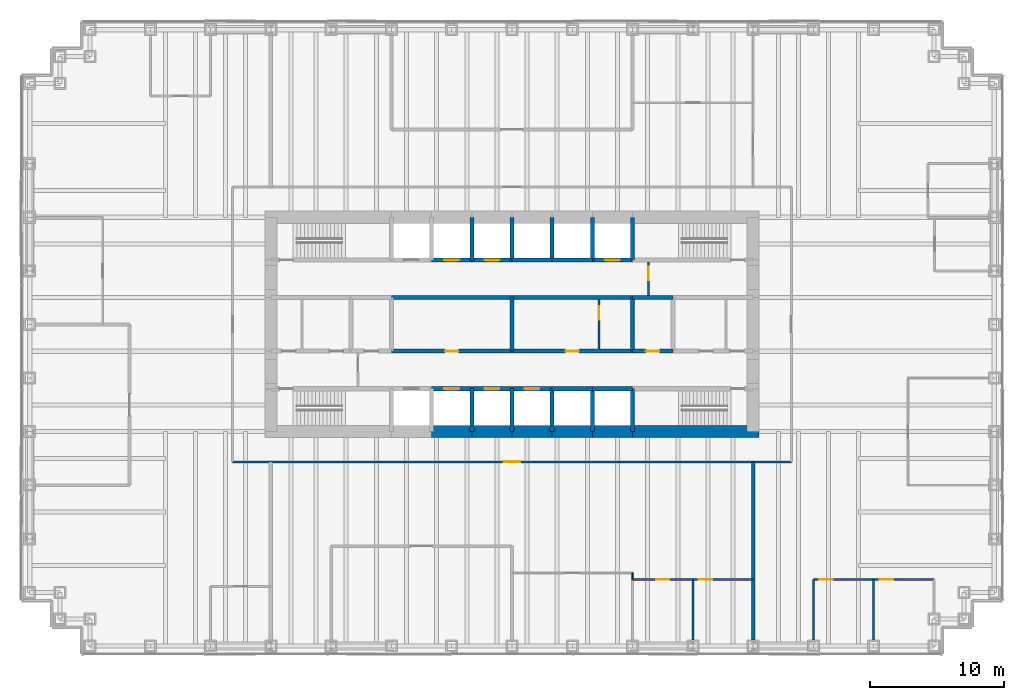
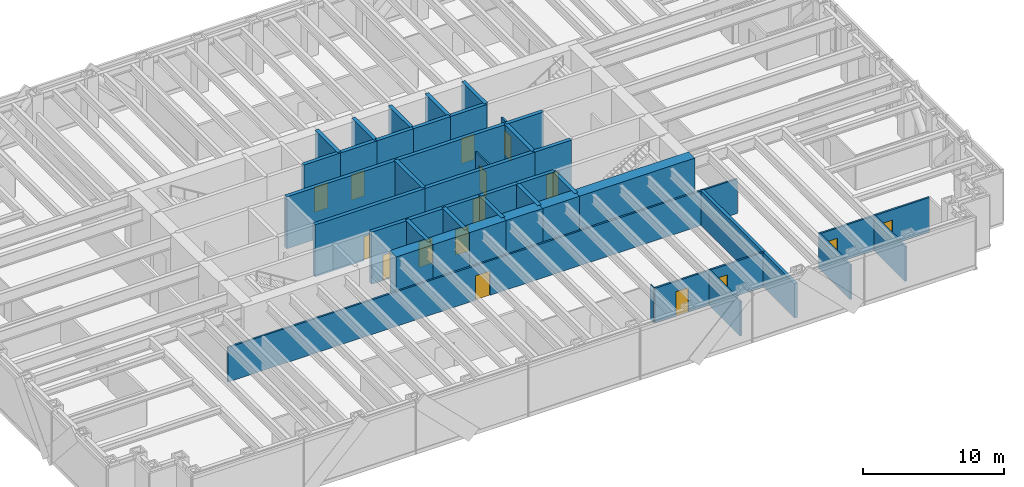
# One storey, part 10 of 13: 45 walls, 16 doors, 16 openings.
"""IFC4 building model written with IfcOpenShell, lengths in metres."""

from ifc_helpers import new_model, si_unit, direction, frame, frame_2d, origin, place, context, subcontext, project, spatial, rectangle, extrude, material, layer, layer_set, type_object, element, fill, save


model = new_model("IFC4")

# Units and contexts
model_context = context("Model", 3, precision=1e-05, world=origin(), true_north=direction((0.0, 1.0)))
body_context = subcontext(model_context, "Body", "Model", "MODEL_VIEW")
ifc_project = project(units=[si_unit("LENGTHUNIT", "METRE"), si_unit("AREAUNIT", "SQUARE_METRE"), si_unit("VOLUMEUNIT", "CUBIC_METRE"), si_unit("PLANEANGLEUNIT", "RADIAN"), si_unit("MASSUNIT", "GRAM", prefix="KILO")], contexts=[model_context])

# Site, building, storey
site_placement = place(None, origin())
site = spatial("IfcSite", under=ifc_project, at=site_placement, CompositionType="ELEMENT")
building_placement = place(site_placement, origin())
building = spatial("IfcBuilding", under=site, at=building_placement, Name="Rheinbord Bourse Tower", CompositionType="ELEMENT")
storey_placement = place(building_placement, frame((0.0, 0.0, 72.5)))
storey = spatial("IfcBuildingStorey", under=building, at=storey_placement, Name="L15", CompositionType="ELEMENT", Elevation=72.5)

# Wall, opening, door
ifc_material_1 = material(Name="Concrete C50/60", Category="concrete")
ifc_layer_1 = layer(ifc_material_1, 0.300048828125)
ifc_layer_set_1 = layer_set([ifc_layer_1], Name="CORE INNER WALL 300")
wall_type_1 = type_object("IfcWallType", Name="CORE INNER WALL 300", PredefinedType="SOLIDWALL", material=ifc_layer_set_1)
wall_1_placement = place(storey_placement, frame((30.0, 19.199951171875, 0.0), z_axis=(0.0, 0.0, 1.0), x_axis=(1.0, 0.0, 0.0)))
wall_1 = element("IfcWall", 1, at=wall_1_placement, inside=storey, type_object=wall_type_1, Name="Core wall A3 L15", PredefinedType="SOLIDWALL", context=body_context, shape_type="SweptSolid", body=[
    extrude(rectangle(XDim=3.0, YDim=0.300048828125, at=frame_2d((1.5, 0.0))), origin(), (0.0, 0.0, 1.0), 4.5),
])
opening_1_placement = place(wall_1_placement, frame((0.949951171875, 0.0, 0.0)))
opening_1 = element("IfcOpeningElement", 2, at=opening_1_placement, cuts=wall_1, Name="Opening PA1", PredefinedType="OPENING", context=body_context, shape_type="SweptSolid", body=[
    extrude(rectangle(XDim=1.10009765625, YDim=2.199951171875, at=frame_2d((0.550048828125, 1.10009765625))), frame((0.0, 0.159912109375, 0.0), z_axis=(0.0, -1.0, 0.0), x_axis=(1.0, 0.0, 0.0)), (0.0, 0.0, 1.0), 0.320068359375),
])
ifc_material_2 = material(Name="Steel landing door", Category="steel")
door_type_1 = type_object("IfcDoorType", Name="LIFT LANDING DOOR 1100", OperationType="DOUBLE_DOOR_SLIDING", PredefinedType="USERDEFINED", material=ifc_material_2)
door_1_placement = place(opening_1_placement, origin())
door_1 = element("IfcDoor", 3, at=door_1_placement, inside=storey, type_object=door_type_1, Name="Lift landing door PA1 L15", ObjectType="LIFT LANDING DOOR", OperationType="DOUBLE_DOOR_SLIDING", OverallHeight=2.199951171875, OverallWidth=1.10009765625, PredefinedType="USERDEFINED", context=body_context, shape_type="SweptSolid", body=[
    extrude(rectangle(XDim=1.10009765625, YDim=2.199951171875, at=frame_2d((0.550048828125, 1.10009765625))), frame((0.0, 0.02490234375, 0.0), z_axis=(0.0, -1.0, 0.0), x_axis=(1.0, 0.0, 0.0)), (0.0, 0.0, 1.0), 0.050048828125),
])
fill(opening_1, door_1)

wall_2_placement = place(storey_placement, frame((33.0, 19.199951171875, 0.0), z_axis=(0.0, 0.0, 1.0), x_axis=(1.0, 0.0, 0.0)))
wall_2 = element("IfcWall", 4, at=wall_2_placement, inside=storey, type_object=wall_type_1, Name="Core wall A4 L15", PredefinedType="SOLIDWALL", context=body_context, shape_type="SweptSolid", body=[
    extrude(rectangle(XDim=3.0, YDim=0.300048828125, at=frame_2d((1.5, 0.0))), origin(), (0.0, 0.0, 1.0), 4.5),
])
opening_2_placement = place(wall_2_placement, frame((0.949951171875, 0.0, 0.0)))
opening_2 = element("IfcOpeningElement", 5, at=opening_2_placement, cuts=wall_2, Name="Opening PA2", PredefinedType="OPENING", context=body_context, shape_type="SweptSolid", body=[
    extrude(rectangle(XDim=1.10009765625, YDim=2.199951171875, at=frame_2d((0.550048828125, 1.10009765625))), frame((0.0, 0.159912109375, 0.0), z_axis=(0.0, -1.0, 0.0), x_axis=(1.0, 0.0, 0.0)), (0.0, 0.0, 1.0), 0.320068359375),
])
door_2_placement = place(opening_2_placement, origin())
door_2 = element("IfcDoor", 6, at=door_2_placement, inside=storey, type_object=door_type_1, Name="Lift landing door PA2 L15", ObjectType="LIFT LANDING DOOR", OperationType="DOUBLE_DOOR_SLIDING", OverallHeight=2.199951171875, OverallWidth=1.10009765625, PredefinedType="USERDEFINED", context=body_context, shape_type="SweptSolid", body=[
    extrude(rectangle(XDim=1.10009765625, YDim=2.199951171875, at=frame_2d((0.550048828125, 1.10009765625))), frame((0.0, 0.02490234375, 0.0), z_axis=(0.0, -1.0, 0.0), x_axis=(1.0, 0.0, 0.0)), (0.0, 0.0, 1.0), 0.050048828125),
])
fill(opening_2, door_2)

wall_3_placement = place(storey_placement, frame((36.0, 19.199951171875, 0.0), z_axis=(0.0, 0.0, 1.0), x_axis=(1.0, 0.0, 0.0)))
wall_3 = element("IfcWall", 7, at=wall_3_placement, inside=storey, type_object=wall_type_1, Name="Core wall A5 L15", PredefinedType="SOLIDWALL", context=body_context, shape_type="SweptSolid", body=[
    extrude(rectangle(XDim=3.0, YDim=0.300048828125, at=frame_2d((1.5, 0.0))), origin(), (0.0, 0.0, 1.0), 4.5),
])
opening_3_placement = place(wall_3_placement, frame((0.949951171875, 0.0, 0.0)))
opening_3 = element("IfcOpeningElement", 8, at=opening_3_placement, cuts=wall_3, Name="Opening PA3", PredefinedType="OPENING", context=body_context, shape_type="SweptSolid", body=[
    extrude(rectangle(XDim=1.10009765625, YDim=2.199951171875, at=frame_2d((0.550048828125, 1.10009765625))), frame((0.0, 0.159912109375, 0.0), z_axis=(0.0, -1.0, 0.0), x_axis=(1.0, 0.0, 0.0)), (0.0, 0.0, 1.0), 0.320068359375),
])
door_3_placement = place(opening_3_placement, origin())
door_3 = element("IfcDoor", 9, at=door_3_placement, inside=storey, type_object=door_type_1, Name="Lift landing door PA3 L15", ObjectType="LIFT LANDING DOOR", OperationType="DOUBLE_DOOR_SLIDING", OverallHeight=2.199951171875, OverallWidth=1.10009765625, PredefinedType="USERDEFINED", context=body_context, shape_type="SweptSolid", body=[
    extrude(rectangle(XDim=1.10009765625, YDim=2.199951171875, at=frame_2d((0.550048828125, 1.10009765625))), frame((0.0, 0.02490234375, 0.0), z_axis=(0.0, -1.0, 0.0), x_axis=(1.0, 0.0, 0.0)), (0.0, 0.0, 1.0), 0.050048828125),
])
fill(opening_3, door_3)

# Walls
for number, where, z_axis, x_axis, name in (
    (10, (39.0, 19.199951171875, 0.0), (0.0, 0.0, 1.0), (1.0, 0.0, 0.0), "Core wall A6 L15"),
    (11, (42.0, 19.199951171875, 0.0), (0.0, 0.0, 1.0), (1.0, 0.0, 0.0), "Core wall A7 L15"),
):
    element("IfcWall", number, at=place(storey_placement, frame(where, z_axis=z_axis, x_axis=x_axis)), inside=storey, type_object=wall_type_1, Name=name, PredefinedType="SOLIDWALL", context=body_context, shape_type="SweptSolid", body=[
        extrude(rectangle(XDim=3.0, YDim=0.300048828125, at=frame_2d((1.5, 0.0))), origin(), (0.0, 0.0, 1.0), 4.5),
    ])

# Wall, opening, door
wall_4_placement = place(storey_placement, frame((30.0, 28.800048828125, 0.0), z_axis=(0.0, 0.0, 1.0), x_axis=(1.0, 0.0, 0.0)))
wall_4 = element("IfcWall", 12, at=wall_4_placement, inside=storey, type_object=wall_type_1, Name="Core wall B3 L15", PredefinedType="SOLIDWALL", context=body_context, shape_type="SweptSolid", body=[
    extrude(rectangle(XDim=3.0, YDim=0.300048828125, at=frame_2d((1.5, 0.0))), origin(), (0.0, 0.0, 1.0), 4.5),
])
opening_4_placement = place(wall_4_placement, frame((0.949951171875, 0.0, 0.0)))
opening_4 = element("IfcOpeningElement", 13, at=opening_4_placement, cuts=wall_4, Name="Opening PA4", PredefinedType="OPENING", context=body_context, shape_type="SweptSolid", body=[
    extrude(rectangle(XDim=1.10009765625, YDim=2.199951171875, at=frame_2d((0.550048828125, 1.10009765625))), frame((0.0, 0.159912109375, 0.0), z_axis=(0.0, -1.0, 0.0), x_axis=(1.0, 0.0, 0.0)), (0.0, 0.0, 1.0), 0.320068359375),
])
door_4_placement = place(opening_4_placement, origin())
door_4 = element("IfcDoor", 14, at=door_4_placement, inside=storey, type_object=door_type_1, Name="Lift landing door PA4 L15", ObjectType="LIFT LANDING DOOR", OperationType="DOUBLE_DOOR_SLIDING", OverallHeight=2.199951171875, OverallWidth=1.10009765625, PredefinedType="USERDEFINED", context=body_context, shape_type="SweptSolid", body=[
    extrude(rectangle(XDim=1.10009765625, YDim=2.199951171875, at=frame_2d((0.550048828125, 1.10009765625))), frame((0.0, 0.02490234375, 0.0), z_axis=(0.0, -1.0, 0.0), x_axis=(1.0, 0.0, 0.0)), (0.0, 0.0, 1.0), 0.050048828125),
])
fill(opening_4, door_4)

wall_5_placement = place(storey_placement, frame((33.0, 28.800048828125, 0.0), z_axis=(0.0, 0.0, 1.0), x_axis=(1.0, 0.0, 0.0)))
wall_5 = element("IfcWall", 15, at=wall_5_placement, inside=storey, type_object=wall_type_1, Name="Core wall B4 L15", PredefinedType="SOLIDWALL", context=body_context, shape_type="SweptSolid", body=[
    extrude(rectangle(XDim=3.0, YDim=0.300048828125, at=frame_2d((1.5, 0.0))), origin(), (0.0, 0.0, 1.0), 4.5),
])
opening_5_placement = place(wall_5_placement, frame((0.949951171875, 0.0, 0.0)))
opening_5 = element("IfcOpeningElement", 16, at=opening_5_placement, cuts=wall_5, Name="Opening PA5", PredefinedType="OPENING", context=body_context, shape_type="SweptSolid", body=[
    extrude(rectangle(XDim=1.10009765625, YDim=2.199951171875, at=frame_2d((0.550048828125, 1.10009765625))), frame((0.0, 0.159912109375, 0.0), z_axis=(0.0, -1.0, 0.0), x_axis=(1.0, 0.0, 0.0)), (0.0, 0.0, 1.0), 0.320068359375),
])
door_5_placement = place(opening_5_placement, origin())
door_5 = element("IfcDoor", 17, at=door_5_placement, inside=storey, type_object=door_type_1, Name="Lift landing door PA5 L15", ObjectType="LIFT LANDING DOOR", OperationType="DOUBLE_DOOR_SLIDING", OverallHeight=2.199951171875, OverallWidth=1.10009765625, PredefinedType="USERDEFINED", context=body_context, shape_type="SweptSolid", body=[
    extrude(rectangle(XDim=1.10009765625, YDim=2.199951171875, at=frame_2d((0.550048828125, 1.10009765625))), frame((0.0, 0.02490234375, 0.0), z_axis=(0.0, -1.0, 0.0), x_axis=(1.0, 0.0, 0.0)), (0.0, 0.0, 1.0), 0.050048828125),
])
fill(opening_5, door_5)

# Walls
for number, where, z_axis, x_axis, name in (
    (18, (36.0, 28.800048828125, 0.0), (0.0, 0.0, 1.0), (1.0, 0.0, 0.0), "Core wall B5 L15"),
    (19, (39.0, 28.800048828125, 0.0), (0.0, 0.0, 1.0), (1.0, 0.0, 0.0), "Core wall B6 L15"),
):
    element("IfcWall", number, at=place(storey_placement, frame(where, z_axis=z_axis, x_axis=x_axis)), inside=storey, type_object=wall_type_1, Name=name, PredefinedType="SOLIDWALL", context=body_context, shape_type="SweptSolid", body=[
        extrude(rectangle(XDim=3.0, YDim=0.300048828125, at=frame_2d((1.5, 0.0))), origin(), (0.0, 0.0, 1.0), 4.5),
    ])

# Wall, opening, door
wall_6_placement = place(storey_placement, frame((42.0, 28.800048828125, 0.0), z_axis=(0.0, 0.0, 1.0), x_axis=(1.0, 0.0, 0.0)))
wall_6 = element("IfcWall", 20, at=wall_6_placement, inside=storey, type_object=wall_type_1, Name="Core wall B7 L15", PredefinedType="SOLIDWALL", context=body_context, shape_type="SweptSolid", body=[
    extrude(rectangle(XDim=3.0, YDim=0.300048828125, at=frame_2d((1.5, 0.0))), origin(), (0.0, 0.0, 1.0), 4.5),
])
opening_6_placement = place(wall_6_placement, frame((0.949951171875, 0.0, 0.0)))
opening_6 = element("IfcOpeningElement", 21, at=opening_6_placement, cuts=wall_6, Name="Opening FL2", PredefinedType="OPENING", context=body_context, shape_type="SweptSolid", body=[
    extrude(rectangle(XDim=1.10009765625, YDim=2.199951171875, at=frame_2d((0.550048828125, 1.10009765625))), frame((0.0, 0.159912109375, 0.0), z_axis=(0.0, -1.0, 0.0), x_axis=(1.0, 0.0, 0.0)), (0.0, 0.0, 1.0), 0.320068359375),
])
door_6_placement = place(opening_6_placement, origin())
door_6 = element("IfcDoor", 22, at=door_6_placement, inside=storey, type_object=door_type_1, Name="Lift landing door FL2 L15", ObjectType="LIFT LANDING DOOR", OperationType="DOUBLE_DOOR_SLIDING", OverallHeight=2.199951171875, OverallWidth=1.10009765625, PredefinedType="USERDEFINED", context=body_context, shape_type="SweptSolid", body=[
    extrude(rectangle(XDim=1.10009765625, YDim=2.199951171875, at=frame_2d((0.550048828125, 1.10009765625))), frame((0.0, 0.02490234375, 0.0), z_axis=(0.0, -1.0, 0.0), x_axis=(1.0, 0.0, 0.0)), (0.0, 0.0, 1.0), 0.050048828125),
])
fill(opening_6, door_6)

wall_7_placement = place(storey_placement, frame((27.0, 22.0, 0.0), z_axis=(0.0, 0.0, 1.0), x_axis=(1.0, 0.0, 0.0)))
wall_7 = element("IfcWall", 23, at=wall_7_placement, inside=storey, type_object=wall_type_1, Name="Core wall C3 L15", PredefinedType="SOLIDWALL", context=body_context, shape_type="SweptSolid", body=[
    extrude(rectangle(XDim=9.0, YDim=0.300048828125, at=frame_2d((4.5, 0.0))), origin(), (0.0, 0.0, 1.0), 4.5),
])
opening_7_placement = place(wall_7_placement, frame((4.0, 0.0, 0.0)))
opening_7 = element("IfcOpeningElement", 24, at=opening_7_placement, cuts=wall_7, Name="Opening 15R3", PredefinedType="OPENING", context=body_context, shape_type="SweptSolid", body=[
    extrude(rectangle(XDim=1.0, YDim=2.10009765625, at=frame_2d((0.5, 1.050048828125))), frame((0.0, 0.159912109375, 0.0), z_axis=(0.0, -1.0, 0.0), x_axis=(1.0, 0.0, 0.0)), (0.0, 0.0, 1.0), 0.320068359375),
])
ifc_material_3 = material(Name="Steel door", Category="steel")
door_type_2 = type_object("IfcDoorType", Name="DOOR 1000 EI30", OperationType="SINGLE_SWING_LEFT", PredefinedType="DOOR", material=ifc_material_3)
door_7_placement = place(opening_7_placement, origin())
door_7 = element("IfcDoor", 25, at=door_7_placement, inside=storey, type_object=door_type_2, Name="Riser door L15", OperationType="SINGLE_SWING_LEFT", OverallHeight=2.10009765625, OverallWidth=1.0, PredefinedType="DOOR", context=body_context, shape_type="SweptSolid", body=[
    extrude(rectangle(XDim=1.0, YDim=2.10009765625, at=frame_2d((0.5, 1.050048828125))), frame((0.0, 0.02490234375, 0.0), z_axis=(0.0, -1.0, 0.0), x_axis=(1.0, 0.0, 0.0)), (0.0, 0.0, 1.0), 0.050048828125),
])
fill(opening_7, door_7)

wall_8_placement = place(storey_placement, frame((36.0, 22.0, 0.0), z_axis=(0.0, 0.0, 1.0), x_axis=(1.0, 0.0, 0.0)))
wall_8 = element("IfcWall", 26, at=wall_8_placement, inside=storey, type_object=wall_type_1, Name="Core wall C4 L15", PredefinedType="SOLIDWALL", context=body_context, shape_type="SweptSolid", body=[
    extrude(rectangle(XDim=9.0, YDim=0.300048828125, at=frame_2d((4.5, 0.0))), origin(), (0.0, 0.0, 1.0), 4.5),
])
opening_8_placement = place(wall_8_placement, frame((4.0, 0.0, 0.0)))
opening_8 = element("IfcOpeningElement", 27, at=opening_8_placement, cuts=wall_8, Name="Opening 15R4", PredefinedType="OPENING", context=body_context, shape_type="SweptSolid", body=[
    extrude(rectangle(XDim=1.0, YDim=2.10009765625, at=frame_2d((0.5, 1.050048828125))), frame((0.0, 0.159912109375, 0.0), z_axis=(0.0, -1.0, 0.0), x_axis=(1.0, 0.0, 0.0)), (0.0, 0.0, 1.0), 0.320068359375),
])
door_8_placement = place(opening_8_placement, origin())
door_8 = element("IfcDoor", 28, at=door_8_placement, inside=storey, type_object=door_type_2, Name="Print room door L15", OperationType="SINGLE_SWING_LEFT", OverallHeight=2.10009765625, OverallWidth=1.0, PredefinedType="DOOR", context=body_context, shape_type="SweptSolid", body=[
    extrude(rectangle(XDim=1.0, YDim=2.10009765625, at=frame_2d((0.5, 1.050048828125))), frame((0.0, 0.02490234375, 0.0), z_axis=(0.0, -1.0, 0.0), x_axis=(1.0, 0.0, 0.0)), (0.0, 0.0, 1.0), 0.050048828125),
])
fill(opening_8, door_8)

wall_9_placement = place(storey_placement, frame((45.0, 22.0, 0.0), z_axis=(0.0, 0.0, 1.0), x_axis=(1.0, 0.0, 0.0)))
wall_9 = element("IfcWall", 29, at=wall_9_placement, inside=storey, type_object=wall_type_1, Name="Core wall C5 L15", PredefinedType="SOLIDWALL", context=body_context, shape_type="SweptSolid", body=[
    extrude(rectangle(XDim=3.0, YDim=0.300048828125, at=frame_2d((1.5, 0.0))), origin(), (0.0, 0.0, 1.0), 4.5),
])
opening_9_placement = place(wall_9_placement, frame((1.0, 0.0, 0.0)))
opening_9 = element("IfcOpeningElement", 30, at=opening_9_placement, cuts=wall_9, Name="Opening 15R5", PredefinedType="OPENING", context=body_context, shape_type="SweptSolid", body=[
    extrude(rectangle(XDim=1.0, YDim=2.10009765625, at=frame_2d((0.5, 1.050048828125))), frame((0.0, 0.159912109375, 0.0), z_axis=(0.0, -1.0, 0.0), x_axis=(1.0, 0.0, 0.0)), (0.0, 0.0, 1.0), 0.320068359375),
])
ifc_material_4 = material(Name="Timber door", Category="wood")
door_type_3 = type_object("IfcDoorType", Name="DOOR 1000 WC", OperationType="SINGLE_SWING_LEFT", PredefinedType="DOOR", material=ifc_material_4)
door_9_placement = place(opening_9_placement, origin())
door_9 = element("IfcDoor", 31, at=door_9_placement, inside=storey, type_object=door_type_3, Name="Accessible WC door L15", OperationType="SINGLE_SWING_LEFT", OverallHeight=2.10009765625, OverallWidth=1.0, PredefinedType="DOOR", context=body_context, shape_type="SweptSolid", body=[
    extrude(rectangle(XDim=1.0, YDim=2.10009765625, at=frame_2d((0.5, 1.050048828125))), frame((0.0, 0.02490234375, 0.0), z_axis=(0.0, -1.0, 0.0), x_axis=(1.0, 0.0, 0.0)), (0.0, 0.0, 1.0), 0.050048828125),
])
fill(opening_9, door_9)

# Walls
for number, where, z_axis, x_axis, name in (
    (32, (27.0, 26.0, 0.0), (0.0, 0.0, 1.0), (1.0, 0.0, 0.0), "Core wall D3 L15"),
    (33, (36.0, 26.0, 0.0), (0.0, 0.0, 1.0), (1.0, 0.0, 0.0), "Core wall D4 L15"),
):
    element("IfcWall", number, at=place(storey_placement, frame(where, z_axis=z_axis, x_axis=x_axis)), inside=storey, type_object=wall_type_1, Name=name, PredefinedType="SOLIDWALL", context=body_context, shape_type="SweptSolid", body=[
        extrude(rectangle(XDim=9.0, YDim=0.300048828125, at=frame_2d((4.5, 0.0))), origin(), (0.0, 0.0, 1.0), 4.5),
    ])
wall_10_placement = place(storey_placement, frame((45.0, 26.0, 0.0), z_axis=(0.0, 0.0, 1.0), x_axis=(1.0, 0.0, 0.0)))
element("IfcWall", 34, at=wall_10_placement, inside=storey, type_object=wall_type_1, Name="Core wall D5 L15", PredefinedType="SOLIDWALL", context=body_context, shape_type="SweptSolid", body=[
    extrude(rectangle(XDim=3.0, YDim=0.300048828125, at=frame_2d((1.5, 0.0))), origin(), (0.0, 0.0, 1.0), 4.5),
])
for number, where, z_axis, x_axis, name in (
    (35, (33.0, 16.0, 0.0), (0.0, 0.0, 1.0), (0.0, 1.0, 0.0), "Core wall SX33 L15"),
    (36, (33.0, 28.800048828125, 0.0), (0.0, 0.0, 1.0), (0.0, 1.0, 0.0), "Core wall NX33 L15"),
    (37, (36.0, 16.0, 0.0), (0.0, 0.0, 1.0), (0.0, 1.0, 0.0), "Core wall SX36 L15"),
    (38, (36.0, 28.800048828125, 0.0), (0.0, 0.0, 1.0), (0.0, 1.0, 0.0), "Core wall NX36 L15"),
    (39, (39.0, 16.0, 0.0), (0.0, 0.0, 1.0), (0.0, 1.0, 0.0), "Core wall SX39 L15"),
    (40, (39.0, 28.800048828125, 0.0), (0.0, 0.0, 1.0), (0.0, 1.0, 0.0), "Core wall NX39 L15"),
    (41, (42.0, 16.0, 0.0), (0.0, 0.0, 1.0), (0.0, 1.0, 0.0), "Core wall SX42 L15"),
    (42, (42.0, 28.800048828125, 0.0), (0.0, 0.0, 1.0), (0.0, 1.0, 0.0), "Core wall NX42 L15"),
    (43, (45.0, 16.0, 0.0), (0.0, 0.0, 1.0), (0.0, 1.0, 0.0), "Core wall SX45 L15"),
    (44, (45.0, 28.800048828125, 0.0), (0.0, 0.0, 1.0), (0.0, 1.0, 0.0), "Core wall NX45 L15"),
):
    element("IfcWall", number, at=place(storey_placement, frame(where, z_axis=z_axis, x_axis=x_axis)), inside=storey, type_object=wall_type_1, Name=name, PredefinedType="SOLIDWALL", context=body_context, shape_type="SweptSolid", body=[
        extrude(rectangle(XDim=3.199951171875, YDim=0.300048828125, at=frame_2d((1.60009765625, 0.0))), origin(), (0.0, 0.0, 1.0), 4.5),
    ])
for number, where, z_axis, x_axis, name in (
    (45, (36.0, 22.0, 0.0), (0.0, 0.0, 1.0), (0.0, 1.0, 0.0), "Core wall MX36 L15"),
    (46, (45.0, 22.0, 0.0), (0.0, 0.0, 1.0), (0.0, 1.0, 0.0), "Core wall MX45 L15"),
):
    element("IfcWall", number, at=place(storey_placement, frame(where, z_axis=z_axis, x_axis=x_axis)), inside=storey, type_object=wall_type_1, Name=name, PredefinedType="SOLIDWALL", context=body_context, shape_type="SweptSolid", body=[
        extrude(rectangle(XDim=4.0, YDim=0.300048828125, at=frame_2d((2.0, 0.0))), origin(), (0.0, 0.0, 1.0), 4.5),
    ])

# Wall, opening, door
ifc_material_5 = material(Name="Gypsum board fire partition", Category="gypsum board")
ifc_layer_2 = layer(ifc_material_5, 0.14990234375)
ifc_layer_set_2 = layer_set([ifc_layer_2], Name="CORE PARTITION 150 EI30")
wall_type_2 = type_object("IfcWallType", Name="CORE PARTITION 150 EI30", PredefinedType="PARTITIONING", material=ifc_layer_set_2)
wall_11_placement = place(storey_placement, frame((42.5, 22.14990234375, 0.0), z_axis=(0.0, 0.0, 1.0), x_axis=(0.0, 1.0, 0.0)))
wall_11 = element("IfcWall", 47, at=wall_11_placement, inside=storey, type_object=wall_type_2, Name="Core partition L15-1", PredefinedType="PARTITIONING", context=body_context, shape_type="SweptSolid", body=[
    extrude(rectangle(XDim=3.7001953125, YDim=0.14990234375, at=frame_2d((1.85009765625, 0.0))), origin(), (0.0, 0.0, 1.0), 3.0),
])
opening_10_placement = place(wall_11_placement, frame((2.199951171875, 0.0, 0.0)))
opening_10 = element("IfcOpeningElement", 48, at=opening_10_placement, cuts=wall_11, Name="Opening 15R7", PredefinedType="OPENING", context=body_context, shape_type="SweptSolid", body=[
    extrude(rectangle(XDim=1.0, YDim=2.10009765625, at=frame_2d((0.5, 1.050048828125))), frame((0.0, 0.0849609375, 0.0), z_axis=(0.0, -1.0, 0.0), x_axis=(1.0, 0.0, 0.0)), (0.0, 0.0, 1.0), 0.169921875),
])
door_10_placement = place(opening_10_placement, origin())
door_10 = element("IfcDoor", 49, at=door_10_placement, inside=storey, type_object=door_type_2, Name="Paper store door L15", OperationType="SINGLE_SWING_RIGHT", OverallHeight=2.10009765625, OverallWidth=1.0, PredefinedType="DOOR", context=body_context, shape_type="SweptSolid", body=[
    extrude(rectangle(XDim=1.0, YDim=2.10009765625, at=frame_2d((0.5, 1.050048828125))), frame((0.0, 0.02490234375, 0.0), z_axis=(0.0, -1.0, 0.0), x_axis=(1.0, 0.0, 0.0)), (0.0, 0.0, 1.0), 0.050048828125),
])
fill(opening_10, door_10)

wall_12_placement = place(storey_placement, frame((46.199951171875, 26.14990234375, 0.0), z_axis=(0.0, 0.0, 1.0), x_axis=(0.0, 1.0, 0.0)))
wall_12 = element("IfcWall", 50, at=wall_12_placement, inside=storey, type_object=wall_type_2, Name="Core partition L15-5", PredefinedType="PARTITIONING", context=body_context, shape_type="SweptSolid", body=[
    extrude(rectangle(XDim=2.5, YDim=0.14990234375, at=frame_2d((1.25, 0.0))), origin(), (0.0, 0.0, 1.0), 3.0),
])
opening_11_placement = place(wall_12_placement, frame((1.14990234375, 0.0, 0.0)))
opening_11 = element("IfcOpeningElement", 51, at=opening_11_placement, cuts=wall_12, Name="Opening 15L6", PredefinedType="OPENING", context=body_context, shape_type="SweptSolid", body=[
    extrude(rectangle(XDim=1.0, YDim=2.10009765625, at=frame_2d((0.5, 1.050048828125))), frame((0.0, 0.0849609375, 0.0), z_axis=(0.0, -1.0, 0.0), x_axis=(1.0, 0.0, 0.0)), (0.0, 0.0, 1.0), 0.169921875),
])
door_11_placement = place(opening_11_placement, origin())
door_11 = element("IfcDoor", 52, at=door_11_placement, inside=storey, type_object=door_type_2, Name="Stair lobby door L15", OperationType="SINGLE_SWING_RIGHT", OverallHeight=2.10009765625, OverallWidth=1.0, PredefinedType="DOOR", context=body_context, shape_type="SweptSolid", body=[
    extrude(rectangle(XDim=1.0, YDim=2.10009765625, at=frame_2d((0.5, 1.050048828125))), frame((0.0, 0.02490234375, 0.0), z_axis=(0.0, -1.0, 0.0), x_axis=(1.0, 0.0, 0.0)), (0.0, 0.0, 1.0), 0.050048828125),
])
fill(opening_11, door_11)

# Walls
ifc_material_6 = material(Name="Concrete C50/60", Category="concrete")
ifc_layer_3 = layer(ifc_material_6, 0.89990234375)
ifc_layer_set_3 = layer_set([ifc_layer_3], Name="CORE WALL 900")
wall_type_3 = type_object("IfcWallType", Name="CORE WALL 900", PredefinedType="SHEAR", material=ifc_layer_set_3)
for number, where, z_axis, x_axis, name in (
    (53, (30.0, 16.0, 0.0), (0.0, 0.0, 1.0), (1.0, 0.0, 0.0), "Core wall S3 L15"),
    (54, (33.0, 16.0, 0.0), (0.0, 0.0, 1.0), (1.0, 0.0, 0.0), "Core wall S4 L15"),
    (55, (36.0, 16.0, 0.0), (0.0, 0.0, 1.0), (1.0, 0.0, 0.0), "Core wall S5 L15"),
    (56, (39.0, 16.0, 0.0), (0.0, 0.0, 1.0), (1.0, 0.0, 0.0), "Core wall S6 L15"),
    (57, (42.0, 16.0, 0.0), (0.0, 0.0, 1.0), (1.0, 0.0, 0.0), "Core wall S7 L15"),
):
    element("IfcWall", number, at=place(storey_placement, frame(where, z_axis=z_axis, x_axis=x_axis)), inside=storey, type_object=wall_type_3, Name=name, PredefinedType="SHEAR", context=body_context, shape_type="SweptSolid", body=[
        extrude(rectangle(XDim=3.0, YDim=0.89990234375, at=frame_2d((1.5, 0.0))), origin(), (0.0, 0.0, 1.0), 4.5),
    ])
wall_13_placement = place(storey_placement, frame((45.0, 16.0, 0.0), z_axis=(0.0, 0.0, 1.0), x_axis=(1.0, 0.0, 0.0)))
element("IfcWall", 58, at=wall_13_placement, inside=storey, type_object=wall_type_3, Name="Core wall S8 L15", PredefinedType="SHEAR", context=body_context, shape_type="SweptSolid", body=[
    extrude(rectangle(XDim=9.449951171875, YDim=0.89990234375, at=frame_2d((4.72509765625, 0.0))), origin(), (0.0, 0.0, 1.0), 4.5),
])

# Wall, opening, door
ifc_material_7 = material(Name="Gypsum board corridor partition", Category="gypsum board")
ifc_layer_4 = layer(ifc_material_7, 0.14990234375)
ifc_layer_set_4 = layer_set([ifc_layer_4], Name="CORRIDOR PARTITION 150 EI30")
wall_type_4 = type_object("IfcWallType", Name="CORRIDOR PARTITION 150 EI30", PredefinedType="PARTITIONING", material=ifc_layer_set_4)
wall_14_placement = place(storey_placement, frame((15.14990234375, 13.75, 0.0), z_axis=(0.0, 0.0, 1.0), x_axis=(1.0, 0.0, 0.0)))
wall_14 = element("IfcWall", 59, at=wall_14_placement, inside=storey, type_object=wall_type_4, Name="Partition L15-09", PredefinedType="PARTITIONING", context=body_context, shape_type="SweptSolid", body=[
    extrude(rectangle(XDim=41.7001953125, YDim=0.14990234375, at=frame_2d((20.85009765625, 0.0))), origin(), (0.0, 0.0, 1.0), 3.0),
])
opening_12_placement = place(wall_14_placement, frame((20.25, 0.0, 0.0)))
opening_12 = element("IfcOpeningElement", 60, at=opening_12_placement, cuts=wall_14, Name="Opening 15D18", PredefinedType="OPENING", context=body_context, shape_type="SweptSolid", body=[
    extrude(rectangle(XDim=1.199951171875, YDim=2.10009765625, at=frame_2d((0.60009765625, 1.050048828125))), frame((0.0, 0.0849609375, 0.0), z_axis=(0.0, -1.0, 0.0), x_axis=(1.0, 0.0, 0.0)), (0.0, 0.0, 1.0), 0.169921875),
])
ifc_material_8 = material(Name="Timber fire door", Category="wood")
door_type_4 = type_object("IfcDoorType", Name="SUITE ENTRANCE DOOR 1200 EI30", OperationType="SINGLE_SWING_LEFT", PredefinedType="DOOR", material=ifc_material_8)
door_12_placement = place(opening_12_placement, origin())
door_12 = element("IfcDoor", 61, at=door_12_placement, inside=storey, type_object=door_type_4, Name="Suite entrance 2 door L15", OperationType="SINGLE_SWING_LEFT", OverallHeight=2.10009765625, OverallWidth=1.199951171875, PredefinedType="DOOR", context=body_context, shape_type="SweptSolid", body=[
    extrude(rectangle(XDim=1.199951171875, YDim=2.10009765625, at=frame_2d((0.60009765625, 1.050048828125))), frame((0.0, 0.02490234375, 0.0), z_axis=(0.0, -1.0, 0.0), x_axis=(1.0, 0.0, 0.0)), (0.0, 0.0, 1.0), 0.050048828125),
])
fill(opening_12, door_12)

# Wall
ifc_material_9 = material(Name="Gypsum board tenancy wall", Category="gypsum board")
ifc_layer_5 = layer(ifc_material_9, 0.25)
ifc_layer_set_5 = layer_set([ifc_layer_5], Name="DEMISING PARTITION 250 EI60")
wall_type_5 = type_object("IfcWallType", Name="DEMISING PARTITION 250 EI60", PredefinedType="PARTITIONING", material=ifc_layer_set_5)
wall_15_placement = place(storey_placement, frame((54.0, 0.449951171875, 0.0), z_axis=(0.0, 0.0, 1.0), x_axis=(0.0, 1.0, 0.0)))
element("IfcWall", 62, at=wall_15_placement, inside=storey, type_object=wall_type_5, Name="Partition L15-36", PredefinedType="PARTITIONING", context=body_context, shape_type="SweptSolid", body=[
    extrude(rectangle(XDim=13.300048828125, YDim=0.25, at=frame_2d((6.64990234375, 0.0))), origin(), (0.0, 0.0, 1.0), 3.0),
])

# Wall, opening, door
ifc_material_10 = material(Name="Gypsum board fire partition", Category="gypsum board")
ifc_layer_6 = layer(ifc_material_10, 0.14990234375)
ifc_layer_set_6 = layer_set([ifc_layer_6], Name="FIRE PARTITION 150 EI60")
wall_type_6 = type_object("IfcWallType", Name="FIRE PARTITION 150 EI60", PredefinedType="PARTITIONING", material=ifc_layer_set_6)
wall_16_placement = place(storey_placement, frame((45.0, 4.949951171875, 0.0), z_axis=(0.0, 0.0, 1.0), x_axis=(1.0, 0.0, 0.0)))
wall_16 = element("IfcWall", 63, at=wall_16_placement, inside=storey, type_object=wall_type_6, Name="Partition L15-02", PredefinedType="PARTITIONING", context=body_context, shape_type="SweptSolid", body=[
    extrude(rectangle(XDim=4.5, YDim=0.14990234375, at=frame_2d((2.25, 0.0))), origin(), (0.0, 0.0, 1.0), 3.0),
])
opening_13_placement = place(wall_16_placement, frame((1.75, 0.0, 0.0)))
opening_13 = element("IfcOpeningElement", 64, at=opening_13_placement, cuts=wall_16, Name="Opening 15D02", PredefinedType="OPENING", context=body_context, shape_type="SweptSolid", body=[
    extrude(rectangle(XDim=1.0, YDim=2.10009765625, at=frame_2d((0.5, 1.050048828125))), frame((0.0, 0.0849609375, 0.0), z_axis=(0.0, -1.0, 0.0), x_axis=(1.0, 0.0, 0.0)), (0.0, 0.0, 1.0), 0.169921875),
])
ifc_material_11 = material(Name="Timber fire door", Category="wood")
door_type_5 = type_object("IfcDoorType", Name="FIRE DOOR 1000 EI60", OperationType="SINGLE_SWING_LEFT", PredefinedType="DOOR", material=ifc_material_11)
door_13_placement = place(opening_13_placement, origin())
door_13 = element("IfcDoor", 65, at=door_13_placement, inside=storey, type_object=door_type_5, Name="Comms room door L15", OperationType="SINGLE_SWING_LEFT", OverallHeight=2.10009765625, OverallWidth=1.0, PredefinedType="DOOR", context=body_context, shape_type="SweptSolid", body=[
    extrude(rectangle(XDim=1.0, YDim=2.10009765625, at=frame_2d((0.5, 1.050048828125))), frame((0.0, 0.02490234375, 0.0), z_axis=(0.0, -1.0, 0.0), x_axis=(1.0, 0.0, 0.0)), (0.0, 0.0, 1.0), 0.050048828125),
])
fill(opening_13, door_13)

# Walls
wall_17_placement = place(storey_placement, frame((49.5, 0.449951171875, 0.0), z_axis=(0.0, 0.0, 1.0), x_axis=(0.0, 1.0, 0.0)))
element("IfcWall", 66, at=wall_17_placement, inside=storey, type_object=wall_type_6, Name="Partition L15-35", PredefinedType="PARTITIONING", context=body_context, shape_type="SweptSolid", body=[
    extrude(rectangle(XDim=4.5, YDim=0.14990234375, at=frame_2d((2.25, 0.0))), origin(), (0.0, 0.0, 1.0), 3.0),
])
ifc_material_12 = material(Name="Toughened laminated glass partition", Category="glass")
ifc_layer_7 = layer(ifc_material_12, 0.10009765625)
ifc_layer_set_7 = layer_set([ifc_layer_7], Name="GLAZED PARTITION 100")
wall_type_7 = type_object("IfcWallType", Name="GLAZED PARTITION 100", PredefinedType="PARTITIONING", material=ifc_layer_set_7)
wall_18_placement = place(storey_placement, frame((45.0, 4.949951171875, 0.0), z_axis=(0.0, 0.0, 1.0), x_axis=(0.0, 1.0, 0.0)))
element("IfcWall", 67, at=wall_18_placement, inside=storey, type_object=wall_type_7, Name="Partition L15-33", PredefinedType="PARTITIONING", context=body_context, shape_type="SweptSolid", body=[
    extrude(rectangle(XDim=0.5, YDim=0.10009765625, at=frame_2d((0.25, 0.0))), origin(), (0.0, 0.0, 1.0), 3.0),
])

# Wall, opening, door
ifc_material_13 = material(Name="Gypsum board partition", Category="gypsum board")
ifc_layer_8 = layer(ifc_material_13, 0.14990234375)
ifc_layer_set_8 = layer_set([ifc_layer_8], Name="PARTITION 150")
wall_type_8 = type_object("IfcWallType", Name="PARTITION 150", PredefinedType="PARTITIONING", material=ifc_layer_set_8)
wall_19_placement = place(storey_placement, frame((49.5, 4.949951171875, 0.0), z_axis=(0.0, 0.0, 1.0), x_axis=(1.0, 0.0, 0.0)))
wall_19 = element("IfcWall", 68, at=wall_19_placement, inside=storey, type_object=wall_type_8, Name="Partition L15-03", PredefinedType="PARTITIONING", context=body_context, shape_type="SweptSolid", body=[
    extrude(rectangle(XDim=4.5, YDim=0.14990234375, at=frame_2d((2.25, 0.0))), origin(), (0.0, 0.0, 1.0), 3.0),
])
opening_14_placement = place(wall_19_placement, frame((0.449951171875, 0.0, 0.0)))
opening_14 = element("IfcOpeningElement", 69, at=opening_14_placement, cuts=wall_19, Name="Opening 15D03", PredefinedType="OPENING", context=body_context, shape_type="SweptSolid", body=[
    extrude(rectangle(XDim=1.0, YDim=2.10009765625, at=frame_2d((0.5, 1.050048828125))), frame((0.0, 0.0849609375, 0.0), z_axis=(0.0, -1.0, 0.0), x_axis=(1.0, 0.0, 0.0)), (0.0, 0.0, 1.0), 0.169921875),
])
ifc_material_14 = material(Name="Timber door", Category="wood")
door_type_6 = type_object("IfcDoorType", Name="ROOM DOOR 1000", OperationType="SINGLE_SWING_LEFT", PredefinedType="DOOR", material=ifc_material_14)
door_14_placement = place(opening_14_placement, origin())
door_14 = element("IfcDoor", 70, at=door_14_placement, inside=storey, type_object=door_type_6, Name="Pantry door L15", OperationType="SINGLE_SWING_LEFT", OverallHeight=2.10009765625, OverallWidth=1.0, PredefinedType="DOOR", context=body_context, shape_type="SweptSolid", body=[
    extrude(rectangle(XDim=1.0, YDim=2.10009765625, at=frame_2d((0.5, 1.050048828125))), frame((0.0, 0.02490234375, 0.0), z_axis=(0.0, -1.0, 0.0), x_axis=(1.0, 0.0, 0.0)), (0.0, 0.0, 1.0), 0.050048828125),
])
fill(opening_14, door_14)

# Wall, openings, doors
wall_20_placement = place(storey_placement, frame((58.5, 4.949951171875, 0.0), z_axis=(0.0, 0.0, 1.0), x_axis=(1.0, 0.0, 0.0)))
wall_20 = element("IfcWall", 71, at=wall_20_placement, inside=storey, type_object=wall_type_8, Name="Partition L15-04", PredefinedType="PARTITIONING", context=body_context, shape_type="SweptSolid", body=[
    extrude(rectangle(XDim=9.0, YDim=0.14990234375, at=frame_2d((4.5, 0.0))), origin(), (0.0, 0.0, 1.0), 3.0),
])
opening_15_placement = place(wall_20_placement, frame((0.449951171875, 0.0, 0.0)))
opening_15 = element("IfcOpeningElement", 72, at=opening_15_placement, cuts=wall_20, Name="Opening 15D04", PredefinedType="OPENING", context=body_context, shape_type="SweptSolid", body=[
    extrude(rectangle(XDim=1.0, YDim=2.10009765625, at=frame_2d((0.5, 1.050048828125))), frame((0.0, 0.0849609375, 0.0), z_axis=(0.0, -1.0, 0.0), x_axis=(1.0, 0.0, 0.0)), (0.0, 0.0, 1.0), 0.169921875),
])
opening_16_placement = place(wall_20_placement, frame((4.949951171875, 0.0, 0.0)))
opening_16 = element("IfcOpeningElement", 73, at=opening_16_placement, cuts=wall_20, Name="Opening 15D05", PredefinedType="OPENING", context=body_context, shape_type="SweptSolid", body=[
    extrude(rectangle(XDim=1.0, YDim=2.10009765625, at=frame_2d((0.5, 1.050048828125))), frame((0.0, 0.0849609375, 0.0), z_axis=(0.0, -1.0, 0.0), x_axis=(1.0, 0.0, 0.0)), (0.0, 0.0, 1.0), 0.169921875),
])
door_15_placement = place(opening_15_placement, origin())
door_15 = element("IfcDoor", 74, at=door_15_placement, inside=storey, type_object=door_type_6, Name="Office door L15", OperationType="SINGLE_SWING_LEFT", OverallHeight=2.10009765625, OverallWidth=1.0, PredefinedType="DOOR", context=body_context, shape_type="SweptSolid", body=[
    extrude(rectangle(XDim=1.0, YDim=2.10009765625, at=frame_2d((0.5, 1.050048828125))), frame((0.0, 0.02490234375, 0.0), z_axis=(0.0, -1.0, 0.0), x_axis=(1.0, 0.0, 0.0)), (0.0, 0.0, 1.0), 0.050048828125),
])
fill(opening_15, door_15)
door_16_placement = place(opening_16_placement, origin())
door_16 = element("IfcDoor", 75, at=door_16_placement, inside=storey, type_object=door_type_6, Name="Office door L15", OperationType="SINGLE_SWING_RIGHT", OverallHeight=2.10009765625, OverallWidth=1.0, PredefinedType="DOOR", context=body_context, shape_type="SweptSolid", body=[
    extrude(rectangle(XDim=1.0, YDim=2.10009765625, at=frame_2d((0.5, 1.050048828125))), frame((0.0, 0.02490234375, 0.0), z_axis=(0.0, -1.0, 0.0), x_axis=(1.0, 0.0, 0.0)), (0.0, 0.0, 1.0), 0.050048828125),
])
fill(opening_16, door_16)

# Walls
for number, where, z_axis, x_axis, name in (
    (76, (58.5, 0.449951171875, 0.0), (0.0, 0.0, 1.0), (0.0, 1.0, 0.0), "Partition L15-39"),
    (77, (63.0, 0.449951171875, 0.0), (0.0, 0.0, 1.0), (0.0, 1.0, 0.0), "Partition L15-40"),
):
    element("IfcWall", number, at=place(storey_placement, frame(where, z_axis=z_axis, x_axis=x_axis)), inside=storey, type_object=wall_type_8, Name=name, PredefinedType="PARTITIONING", context=body_context, shape_type="SweptSolid", body=[
        extrude(rectangle(XDim=4.5, YDim=0.14990234375, at=frame_2d((2.25, 0.0))), origin(), (0.0, 0.0, 1.0), 3.0),
    ])

save(model, "model.ifc")
